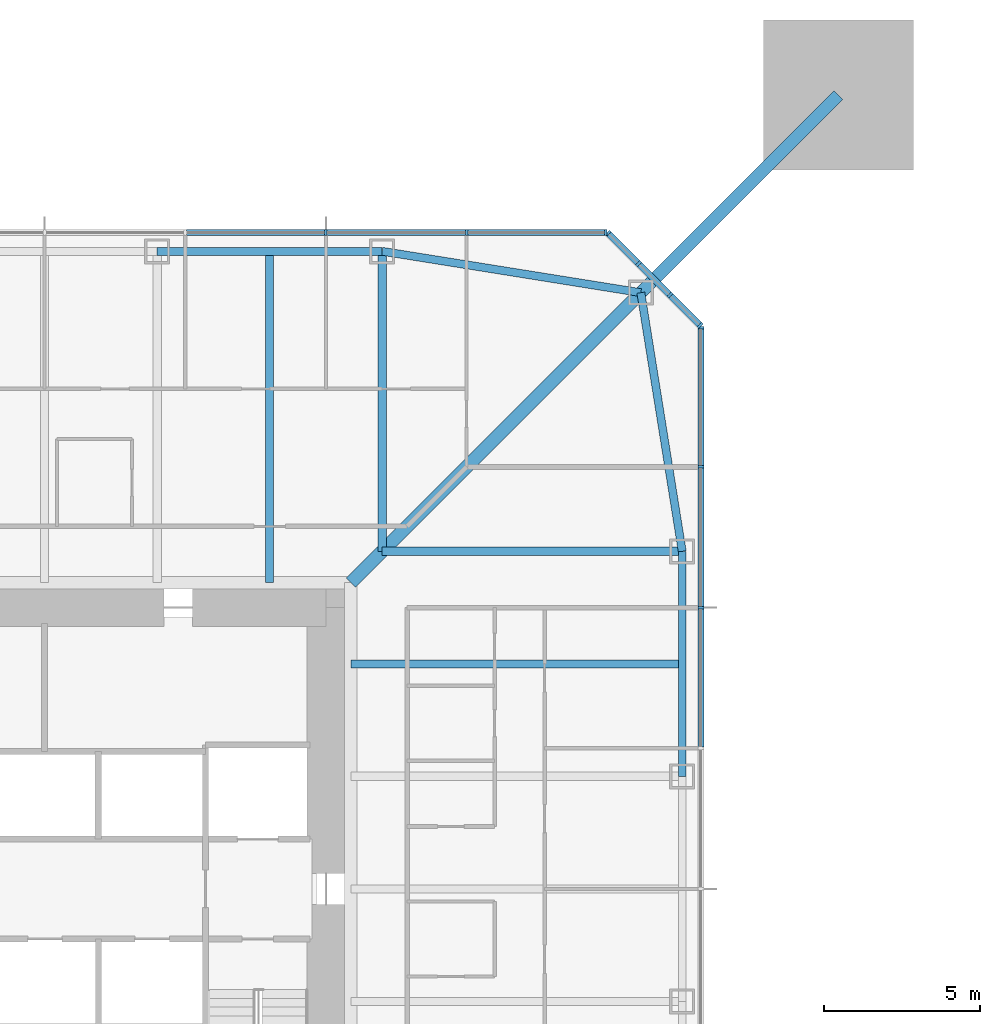
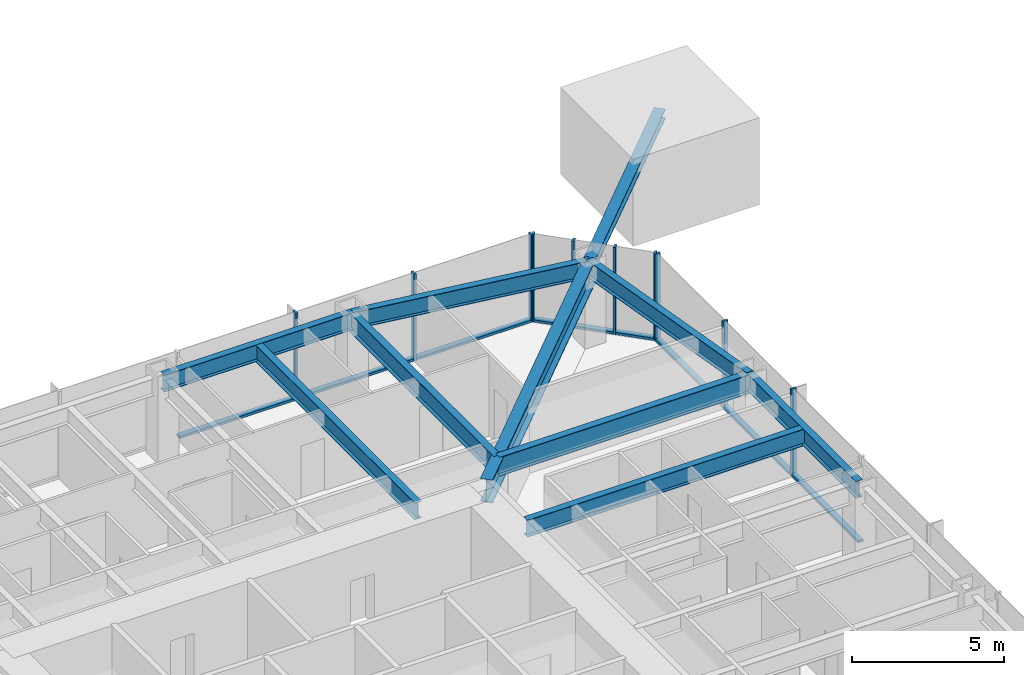
# One storey, part 7 of 25: 20 members, 9 beams, 3 elements without a shape of their own.
"""IFC4 building model written with IfcOpenShell, lengths in metres."""

import ifcopenshell
import ifcopenshell.guid

model = None  # the IFC model being written
_history = None  # IfcOwnerHistory: only IFC2X3 demands one
_inside = {}  # id of a spatial element -> (the spatial element, [elements in it])
_under = {}  # id of a project, library or spatial element -> (it, [spatial elements below it])
_declared = {}  # id of a project -> (the project, [libraries it declares])
_typed = {}  # id of a type object -> (the type object, [elements of that type])
_made_of = {}  # id of a material, layer set ... -> (it, [elements and type objects made of it])


def new_model(schema):
    """Start an empty IFC model of exactly this schema.

    Asked for "IFC4X3", IfcOpenShell would pick the latest addendum, in which some entities
    have other attributes; the version numbers below select the first issue.
    IFC2X3 requires an IfcOwnerHistory on every rooted entity: one is made here for all.
    """
    global model, _history
    if schema == "IFC4X3":
        model = ifcopenshell.file(schema_version=(4, 3, 0, 0))
    else:
        model = ifcopenshell.file(schema=schema)
    _inside.clear()
    _under.clear()
    _declared.clear()
    _typed.clear()
    _made_of.clear()
    _history = None
    if model.schema == "IFC2X3":
        org = make("IfcOrganization", Name="unknown")
        user = make(
            "IfcPersonAndOrganization",
            ThePerson=make("IfcPerson", FamilyName="unknown"),
            TheOrganization=org,
        )
        app = make(
            "IfcApplication",
            ApplicationDeveloper=org,
            Version="unknown",
            ApplicationFullName="unknown",
            ApplicationIdentifier="unknown",
        )
        _history = make(
            "IfcOwnerHistory",
            OwningUser=user,
            OwningApplication=app,
            ChangeAction="ADDED",
            CreationDate=0,
        )
    return model


def make(cls, **values):
    """One entity of the class cls with the attributes given. An attribute that is None is left unset."""
    return model.create_entity(
        cls, **{name: value for name, value in values.items() if value is not None}
    )


def rooted(cls, **values):
    """An entity with a GlobalId (a new one), such as an element, a storey or a relation."""
    return make(cls, GlobalId=ifcopenshell.guid.new(), OwnerHistory=_history, **values)


def si_unit(unit_type, name, prefix=None):
    """IfcSIUnit, for example si_unit("LENGTHUNIT", "METRE", prefix="MILLI")."""
    return make("IfcSIUnit", UnitType=unit_type, Prefix=prefix, Name=name)


def assignment(units):
    """IfcUnitAssignment: the units of a project."""
    return None if units is None else make("IfcUnitAssignment", Units=units)


def point(xyz):
    """IfcCartesianPoint."""
    return None if xyz is None else make("IfcCartesianPoint", Coordinates=xyz)


def direction(xyz):
    """IfcDirection."""
    return None if xyz is None else make("IfcDirection", DirectionRatios=xyz)


def frame(location, z_axis=None, x_axis=None):
    """IfcAxis2Placement3D, a coordinate frame: its origin and axes. An axis left out is left unset."""
    return make(
        "IfcAxis2Placement3D",
        Location=point(location),
        Axis=direction(z_axis),
        RefDirection=direction(x_axis),
    )


def frame_2d(location, x_axis=None):
    """IfcAxis2Placement2D, a coordinate frame in the plane: its origin and x axis."""
    return make(
        "IfcAxis2Placement2D", Location=point(location), RefDirection=direction(x_axis)
    )


def origin():
    """The frame at (0, 0, 0) with its axes left unset."""
    return frame((0.0, 0.0, 0.0))


def origin_2d():
    """The frame at (0, 0) in the plane with its x axis left unset."""
    return frame_2d((0.0, 0.0))


def place(relative_to, where):
    """IfcLocalPlacement: puts the frame where relative to a parent placement (None: the world)."""
    return make(
        "IfcLocalPlacement", PlacementRelTo=relative_to, RelativePlacement=where
    )


def context(
    kind, dimensions, precision=None, world=None, true_north=None, identifier=None
):
    """IfcGeometricRepresentationContext, for example the 3D "Model" context."""
    return make(
        "IfcGeometricRepresentationContext",
        ContextIdentifier=identifier,
        ContextType=kind,
        CoordinateSpaceDimension=dimensions,
        Precision=precision,
        WorldCoordinateSystem=world,
        TrueNorth=true_north,
    )


def subcontext(parent, identifier, kind, view, scale=None):
    """IfcGeometricRepresentationSubContext, for example "Body" below "Model"."""
    return make(
        "IfcGeometricRepresentationSubContext",
        ContextIdentifier=identifier,
        ContextType=kind,
        ParentContext=parent,
        TargetScale=scale,
        TargetView=view,
    )


def project(units=None, contexts=None):
    """IfcProject with its units and contexts."""
    return rooted(
        "IfcProject",
        Name="project",
        RepresentationContexts=contexts,
        UnitsInContext=assignment(units),
    )


def spatial(cls, under=None, at=None, **own):
    """A site, building, storey or space (cls), placed at a placement, below another one or the project."""
    s = rooted(cls, ObjectPlacement=at, **own)
    if under is not None:
        _under.setdefault(under.id(), (under, []))[1].append(s)
    return s


def profile(cls, at=None, kind="AREA", **sizes):
    """A parametric profile (cls). Its sizes go by their IFC names, for example OverallWidth=200.0."""
    return make(cls, ProfileType=kind, Position=at, **sizes)


def rectangle(**sizes):
    """IfcRectangleProfileDef."""
    return profile("IfcRectangleProfileDef", **sizes)


def i_section(**sizes):
    """IfcIShapeProfileDef."""
    return profile("IfcIShapeProfileDef", **sizes)


def extrude(swept, where, along, depth):
    """IfcExtrudedAreaSolid: the profile swept, set in the frame where, extruded along a direction by depth."""
    return make(
        "IfcExtrudedAreaSolid",
        SweptArea=swept,
        Position=where,
        ExtrudedDirection=direction(along),
        Depth=depth,
    )


def shape(context_of_items, identifier, shape_type, items):
    """IfcShapeRepresentation: the items that make up one representation, for example the "Body"."""
    return make(
        "IfcShapeRepresentation",
        ContextOfItems=context_of_items,
        RepresentationIdentifier=identifier,
        RepresentationType=shape_type,
        Items=items,
    )


def material(Name=None, Category=None):
    """IfcMaterial."""
    return make("IfcMaterial", Name=Name, Category=Category)


def material_profile(
    of_material, cross_section, Name=None, Category=None, Priority=None
):
    """IfcMaterialProfile: a cross section and its material."""
    return make(
        "IfcMaterialProfile",
        Name=Name,
        Material=of_material,
        Profile=cross_section,
        Priority=Priority,
        Category=Category,
    )


def profile_set(profiles, Name=None, composite=None):
    """IfcMaterialProfileSet."""
    return make(
        "IfcMaterialProfileSet",
        Name=Name,
        MaterialProfiles=profiles,
        CompositeProfile=composite,
    )


def made_of(thing, what):
    """Note that an element or type object is made of a material, layer set ...; save() writes the relation."""
    if what is not None:
        _made_of.setdefault(what.id(), (what, []))[1].append(thing)
    return thing


def type_object(cls, material=None, **own):
    """A type object (cls), such as IfcWallType, which elements share."""
    return made_of(rooted(cls, **own), material)


def element(
    cls,
    number,
    at=None,
    inside=None,
    cuts=None,
    type_object=None,
    material=None,
    context=None,
    identifier="Body",
    shape_type=None,
    held_by="IfcProductDefinitionShape",
    body=None,
    shapes=None,
    **own,
):
    """One element of the class cls, such as IfcWall. Its Tag is "e" and its number.

    at: its placement. inside: the storey or other place that contains it. cuts: it is an
    opening in that element (IfcRelVoidsElement). A single representation is given by context,
    identifier, shape_type and body (its items); several are given by shapes. held_by: the class
    of the entity that holds the representations. save() writes the other relations.
    """
    e = rooted(cls, Tag="e%d" % number, ObjectPlacement=at, **own)
    if body is not None:
        shapes = [shape(context, identifier, shape_type, body)]
    if shapes is not None:
        e.Representation = make(held_by, Representations=shapes)
    if inside is not None:
        _inside.setdefault(inside.id(), (inside, []))[1].append(e)
    if cuts is not None:
        rooted(
            "IfcRelVoidsElement", RelatingBuildingElement=cuts, RelatedOpeningElement=e
        )
    if type_object is not None:
        _typed.setdefault(type_object.id(), (type_object, []))[1].append(e)
    return made_of(e, material)


def aggregate(whole, parts):
    """IfcRelAggregates: a whole, such as a stair, and the parts it consists of."""
    return rooted("IfcRelAggregates", RelatingObject=whole, RelatedObjects=parts)


def save(model, path):
    """Write the relations noted so far, then the file.

    IfcRelAggregates (storeys below a building ...), IfcRelContainedInSpatialStructure (elements
    in a storey), IfcRelDefinesByType, IfcRelAssociatesMaterial and IfcRelDeclares: one each for
    every whole, place, type object, material and project.
    """
    for whole, parts in _under.values():
        aggregate(whole, parts)
    for where, things in _inside.values():
        rooted(
            "IfcRelContainedInSpatialStructure",
            RelatedElements=things,
            RelatingStructure=where,
        )
    for kind, things in _typed.values():
        rooted("IfcRelDefinesByType", RelatedObjects=things, RelatingType=kind)
    for what, things in _made_of.values():
        rooted("IfcRelAssociatesMaterial", RelatedObjects=things, RelatingMaterial=what)
    for by, libraries in _declared.values():
        rooted("IfcRelDeclares", RelatingContext=by, RelatedDefinitions=libraries)
    model.write(path)


model = new_model("IFC4")

# Units and contexts
model_context = context("Model", 3, precision=1e-05, world=origin(), true_north=direction((0.0, 1.0)))
body_context = subcontext(model_context, "Body", "Model", "MODEL_VIEW")
ifc_project = project(units=[si_unit("LENGTHUNIT", "METRE"), si_unit("AREAUNIT", "SQUARE_METRE"), si_unit("VOLUMEUNIT", "CUBIC_METRE"), si_unit("PLANEANGLEUNIT", "RADIAN"), si_unit("MASSUNIT", "GRAM", prefix="KILO")], contexts=[model_context])

# Site, building, storey
site_placement = place(None, origin())
site = spatial("IfcSite", under=ifc_project, at=site_placement, CompositionType="ELEMENT")
building_placement = place(site_placement, origin())
building = spatial("IfcBuilding", under=site, at=building_placement, Name="Iwan Alto Co-Living Towers", CompositionType="ELEMENT")
storey_placement = place(building_placement, frame((0.0, 0.0, 84.0)))
storey = spatial("IfcBuildingStorey", under=building, at=storey_placement, Name="L22", CompositionType="ELEMENT", Elevation=84.0)

# Curtain wall, members
ifc_material_1 = material(Name="Bronze aluminium unitised frame", Category="aluminium")
curtain_wall_type_1 = type_object("IfcCurtainWallType", Name="CURTAIN WALL CW-A", PredefinedType="NOTDEFINED", material=ifc_material_1)
curtain_wall_1_placement = place(storey_placement, origin())
curtain_wall_1 = element("IfcCurtainWall", 1, at=curtain_wall_1_placement, inside=storey, type_object=curtain_wall_type_1, Name="T1 curtain wall E L22", PredefinedType="NOTDEFINED")
ifc_material_2 = material(Name="Aluminium 6063-T6 bronze anodised", Category="aluminium")
ifc_material_profile_1 = material_profile(ifc_material_2, rectangle(XDim=0.199951171875, YDim=0.080078125, at=origin_2d()), Name="AL 80X200")
ifc_profile_set_1 = profile_set([ifc_material_profile_1], Name="Aluminium 6063-T6 bronze anodised")
member_type_1 = type_object("IfcMemberType", Name="CW-A MULLION 80X200", PredefinedType="MULLION", material=ifc_profile_set_1)
member_1_placement = place(storey_placement, frame((21.0, 9.0, 0.0), z_axis=(0.0, 0.0, 1.0), x_axis=(-1.0, 0.0, 0.0)))
member_1 = element("IfcMember", 2, at=member_1_placement, type_object=member_type_1, Name="CW-A mullion 7", PredefinedType="MULLION", context=body_context, shape_type="SweptSolid", body=[
    extrude(rectangle(XDim=0.199951171875, YDim=0.080078125, at=origin_2d()), origin(), (0.0, 0.0, 1.0), 3.5),
])
member_2_placement = place(storey_placement, frame((21.0, 13.5, 0.0), z_axis=(0.0, 0.0, 1.0), x_axis=(-1.0, 0.0, 0.0)))
member_2 = element("IfcMember", 3, at=member_2_placement, type_object=member_type_1, Name="CW-A mullion 8", PredefinedType="MULLION", context=body_context, shape_type="SweptSolid", body=[
    extrude(rectangle(XDim=0.199951171875, YDim=0.080078125, at=origin_2d()), origin(), (0.0, 0.0, 1.0), 3.5),
])
member_3_placement = place(storey_placement, frame((21.0, 17.9599609375, 0.0), z_axis=(0.0, 0.0, 1.0), x_axis=(-1.0, 0.0, 0.0)))
member_3 = element("IfcMember", 4, at=member_3_placement, type_object=member_type_1, Name="CW-A mullion 9", PredefinedType="MULLION", context=body_context, shape_type="SweptSolid", body=[
    extrude(rectangle(XDim=0.199951171875, YDim=0.080078125, at=origin_2d()), origin(), (0.0, 0.0, 1.0), 3.5),
])

curtain_wall_2_placement = place(storey_placement, origin())
curtain_wall_2 = element("IfcCurtainWall", 5, at=curtain_wall_2_placement, inside=storey, type_object=curtain_wall_type_1, Name="T1 curtain wall N L22", PredefinedType="NOTDEFINED")
member_4_placement = place(storey_placement, frame((17.9599609375, 21.0, 0.0), z_axis=(0.0, 0.0, 1.0), x_axis=(0.0, -1.0, 0.0)))
member_4 = element("IfcMember", 6, at=member_4_placement, type_object=member_type_1, Name="CW-A mullion 1", PredefinedType="MULLION", context=body_context, shape_type="SweptSolid", body=[
    extrude(rectangle(XDim=0.199951171875, YDim=0.080078125, at=origin_2d()), origin(), (0.0, 0.0, 1.0), 3.5),
])
member_5_placement = place(storey_placement, frame((13.5, 21.0, 0.0), z_axis=(0.0, 0.0, 1.0), x_axis=(0.0, -1.0, 0.0)))
member_5 = element("IfcMember", 7, at=member_5_placement, type_object=member_type_1, Name="CW-A mullion 2", PredefinedType="MULLION", context=body_context, shape_type="SweptSolid", body=[
    extrude(rectangle(XDim=0.199951171875, YDim=0.080078125, at=origin_2d()), origin(), (0.0, 0.0, 1.0), 3.5),
])
member_6_placement = place(storey_placement, frame((9.0, 21.0, 0.0), z_axis=(0.0, 0.0, 1.0), x_axis=(0.0, -1.0, 0.0)))
member_6 = element("IfcMember", 8, at=member_6_placement, type_object=member_type_1, Name="CW-A mullion 3", PredefinedType="MULLION", context=body_context, shape_type="SweptSolid", body=[
    extrude(rectangle(XDim=0.199951171875, YDim=0.080078125, at=origin_2d()), origin(), (0.0, 0.0, 1.0), 3.5),
])

# Member
ifc_material_3 = material(Name="Aluminium 6063-T6 bronze anodised", Category="aluminium")
ifc_material_profile_2 = material_profile(ifc_material_3, rectangle(XDim=0.199951171875, YDim=0.10009765625, at=origin_2d()), Name="AL 200X100")
ifc_profile_set_2 = profile_set([ifc_material_profile_2], Name="Aluminium 6063-T6 bronze anodised")
member_type_2 = type_object("IfcMemberType", Name="CW-A TRANSOM 200X100", PredefinedType="USERDEFINED", material=ifc_profile_set_2)
member_7_placement = place(storey_placement, frame((21.0, 4.5400390625, 0.050048828125), z_axis=(0.0, 1.0, 0.0), x_axis=(-1.0, 0.0, 0.0)))
member_7 = element("IfcMember", 9, at=member_7_placement, type_object=member_type_2, Name="CW-A transom 6.1", ObjectType="TRANSOM", PredefinedType="USERDEFINED", context=body_context, shape_type="SweptSolid", body=[
    extrude(rectangle(XDim=0.199951171875, YDim=0.10009765625, at=origin_2d()), origin(), (0.0, 0.0, 1.0), 4.419921875),
])

member_8_placement = place(storey_placement, frame((21.0, 9.0400390625, 0.050048828125), z_axis=(0.0, 1.0, 0.0), x_axis=(-1.0, 0.0, 0.0)))
member_8 = element("IfcMember", 10, at=member_8_placement, type_object=member_type_2, Name="CW-A transom 7.1", ObjectType="TRANSOM", PredefinedType="USERDEFINED", context=body_context, shape_type="SweptSolid", body=[
    extrude(rectangle(XDim=0.199951171875, YDim=0.10009765625, at=origin_2d()), origin(), (0.0, 0.0, 1.0), 4.419921875),
])

member_9_placement = place(storey_placement, frame((21.0, 13.5400390625, 0.050048828125), z_axis=(0.0, 1.0, 0.0), x_axis=(-1.0, 0.0, 0.0)))
member_9 = element("IfcMember", 11, at=member_9_placement, type_object=member_type_2, Name="CW-A transom 8.1", ObjectType="TRANSOM", PredefinedType="USERDEFINED", context=body_context, shape_type="SweptSolid", body=[
    extrude(rectangle(XDim=0.199951171875, YDim=0.10009765625, at=origin_2d()), origin(), (0.0, 0.0, 1.0), 4.3798828125),
])

aggregate(curtain_wall_1, [member_1, member_2, member_3, member_7, member_8, member_9])

member_10_placement = place(storey_placement, frame((17.919921875, 21.0, 0.050048828125), z_axis=(-1.0, 0.0, 0.0), x_axis=(0.0, -1.0, 0.0)))
member_10 = element("IfcMember", 12, at=member_10_placement, type_object=member_type_2, Name="CW-A transom 1.1", ObjectType="TRANSOM", PredefinedType="USERDEFINED", context=body_context, shape_type="SweptSolid", body=[
    extrude(rectangle(XDim=0.199951171875, YDim=0.10009765625, at=origin_2d()), origin(), (0.0, 0.0, 1.0), 4.3798828125),
])

member_11_placement = place(storey_placement, frame((13.4599609375, 21.0, 0.050048828125), z_axis=(-1.0, 0.0, 0.0), x_axis=(0.0, -1.0, 0.0)))
member_11 = element("IfcMember", 13, at=member_11_placement, type_object=member_type_2, Name="CW-A transom 2.1", ObjectType="TRANSOM", PredefinedType="USERDEFINED", context=body_context, shape_type="SweptSolid", body=[
    extrude(rectangle(XDim=0.199951171875, YDim=0.10009765625, at=origin_2d()), origin(), (0.0, 0.0, 1.0), 4.419921875),
])

member_12_placement = place(storey_placement, frame((8.9599609375, 21.0, 0.050048828125), z_axis=(-1.0, 0.0, 0.0), x_axis=(0.0, -1.0, 0.0)))
member_12 = element("IfcMember", 14, at=member_12_placement, type_object=member_type_2, Name="CW-A transom 3.1", ObjectType="TRANSOM", PredefinedType="USERDEFINED", context=body_context, shape_type="SweptSolid", body=[
    extrude(rectangle(XDim=0.199951171875, YDim=0.10009765625, at=origin_2d()), origin(), (0.0, 0.0, 1.0), 4.419921875),
])

aggregate(curtain_wall_2, [member_4, member_5, member_6, member_10, member_11, member_12])

# Curtain wall, members
ifc_material_4 = material(Name="Bronze aluminium unitised frame", Category="aluminium")
curtain_wall_type_2 = type_object("IfcCurtainWallType", Name="CURTAIN WALL CW-B", PredefinedType="NOTDEFINED", material=ifc_material_4)
curtain_wall_3_placement = place(storey_placement, origin())
curtain_wall_3 = element("IfcCurtainWall", 15, at=curtain_wall_3_placement, inside=storey, type_object=curtain_wall_type_2, Name="T1 chamfer curtain wall NE L22", PredefinedType="NOTDEFINED")
ifc_material_5 = material(Name="Aluminium 6063-T6 bronze anodised", Category="aluminium")
ifc_material_profile_3 = material_profile(ifc_material_5, rectangle(XDim=0.199951171875, YDim=0.080078125, at=origin_2d()), Name="AL 80X200")
ifc_profile_set_3 = profile_set([ifc_material_profile_3], Name="Aluminium 6063-T6 bronze anodised")
member_type_3 = type_object("IfcMemberType", Name="CW-B MULLION 80X200", PredefinedType="MULLION", material=ifc_profile_set_3)
member_13_placement = place(storey_placement, frame((20.9716796875, 18.0283203125, 0.0), z_axis=(0.0, 0.0, 1.0), x_axis=(-0.707106781187, -0.707106781187, 0.0)))
member_13 = element("IfcMember", 16, at=member_13_placement, type_object=member_type_3, Name="CW-B mullion 1", PredefinedType="MULLION", context=body_context, shape_type="SweptSolid", body=[
    extrude(rectangle(XDim=0.199951171875, YDim=0.080078125, at=origin_2d()), origin(), (0.0, 0.0, 1.0), 3.5),
])
member_14_placement = place(storey_placement, frame((20.0, 19.0, 0.0), z_axis=(0.0, 0.0, 1.0), x_axis=(-0.707106781187, -0.707106781187, 0.0)))
member_14 = element("IfcMember", 17, at=member_14_placement, type_object=member_type_3, Name="CW-B mullion 2", PredefinedType="MULLION", context=body_context, shape_type="SweptSolid", body=[
    extrude(rectangle(XDim=0.199951171875, YDim=0.080078125, at=origin_2d()), origin(), (0.0, 0.0, 1.0), 3.5),
])
member_15_placement = place(storey_placement, frame((19.0, 20.0, 0.0), z_axis=(0.0, 0.0, 1.0), x_axis=(-0.707106781187, -0.707106781187, 0.0)))
member_15 = element("IfcMember", 18, at=member_15_placement, type_object=member_type_3, Name="CW-B mullion 3", PredefinedType="MULLION", context=body_context, shape_type="SweptSolid", body=[
    extrude(rectangle(XDim=0.199951171875, YDim=0.080078125, at=origin_2d()), origin(), (0.0, 0.0, 1.0), 3.5),
])
member_16_placement = place(storey_placement, frame((18.0283203125, 20.9716796875, 0.0), z_axis=(0.0, 0.0, 1.0), x_axis=(-0.707106781187, -0.707106781187, 0.0)))
member_16 = element("IfcMember", 19, at=member_16_placement, type_object=member_type_3, Name="CW-B mullion 4", PredefinedType="MULLION", context=body_context, shape_type="SweptSolid", body=[
    extrude(rectangle(XDim=0.199951171875, YDim=0.080078125, at=origin_2d()), origin(), (0.0, 0.0, 1.0), 3.5),
])
ifc_material_6 = material(Name="Aluminium 6063-T6 bronze anodised", Category="aluminium")
ifc_material_profile_4 = material_profile(ifc_material_6, rectangle(XDim=0.199951171875, YDim=0.10009765625, at=origin_2d()), Name="AL 200X100")
ifc_profile_set_4 = profile_set([ifc_material_profile_4], Name="Aluminium 6063-T6 bronze anodised")
member_type_4 = type_object("IfcMemberType", Name="CW-B TRANSOM 200X100", PredefinedType="USERDEFINED", material=ifc_profile_set_4)
member_17_placement = place(storey_placement, frame((20.943359375, 18.056640625, 0.050048828125), z_axis=(-0.707106781187, 0.707106781187, 0.0), x_axis=(-0.707106781187, -0.707106781187, 0.0)))
member_17 = element("IfcMember", 20, at=member_17_placement, type_object=member_type_4, Name="CW-B transom 1.1", ObjectType="TRANSOM", PredefinedType="USERDEFINED", context=body_context, shape_type="SweptSolid", body=[
    extrude(rectangle(XDim=0.199951171875, YDim=0.10009765625, at=origin_2d()), origin(), (0.0, 0.0, 1.0), 1.2939453125),
])
member_18_placement = place(storey_placement, frame((19.9716796875, 19.0283203125, 0.050048828125), z_axis=(-0.707106781187, 0.707106781187, 0.0), x_axis=(-0.707106781187, -0.707106781187, 0.0)))
member_18 = element("IfcMember", 21, at=member_18_placement, type_object=member_type_4, Name="CW-B transom 2.1", ObjectType="TRANSOM", PredefinedType="USERDEFINED", context=body_context, shape_type="SweptSolid", body=[
    extrude(rectangle(XDim=0.199951171875, YDim=0.10009765625, at=origin_2d()), origin(), (0.0, 0.0, 1.0), 1.334228515625),
])
member_19_placement = place(storey_placement, frame((18.9716796875, 20.0283203125, 0.050048828125), z_axis=(-0.707106781187, 0.707106781187, 0.0), x_axis=(-0.707106781187, -0.707106781187, 0.0)))
member_19 = element("IfcMember", 22, at=member_19_placement, type_object=member_type_4, Name="CW-B transom 3.1", ObjectType="TRANSOM", PredefinedType="USERDEFINED", context=body_context, shape_type="SweptSolid", body=[
    extrude(rectangle(XDim=0.199951171875, YDim=0.10009765625, at=origin_2d()), origin(), (0.0, 0.0, 1.0), 1.2939453125),
])
aggregate(curtain_wall_3, [member_13, member_14, member_15, member_16, member_17, member_18, member_19])

# Beams
ifc_material_7 = material(Name="Steel ASTM A992 Gr 50", Category="steel")
ifc_material_profile_5 = material_profile(ifc_material_7, i_section(OverallWidth=0.419189453125, OverallDepth=0.927001953125, WebThickness=0.019287109375, FlangeThickness=0.031982421875, at=origin_2d()), Name="W36X231")
ifc_profile_set_5 = profile_set([ifc_material_profile_5], Name="Steel ASTM A992 Gr 50")
beam_type_1 = type_object("IfcBeamType", Name="T1 CORNER GIRDER W36X231", PredefinedType="BEAM", material=ifc_profile_set_5)
beam_1_placement = place(storey_placement, frame((19.07568359375, 19.07568359375, 2.806396484375), z_axis=(-0.707106781187, -0.707106781187, 0.0), x_axis=(0.707106781187, -0.707106781187, 0.0)))
element("IfcBeam", 23, at=beam_1_placement, inside=storey, type_object=beam_type_1, Name="T1 corner girder CNE L23", PredefinedType="BEAM", context=body_context, shape_type="SweptSolid", body=[
    extrude(i_section(OverallWidth=0.419189453125, OverallDepth=0.927001953125, WebThickness=0.019287109375, FlangeThickness=0.031982421875, at=origin_2d()), origin(), (0.0, 0.0, 1.0), 13.11865234375),
])
ifc_material_8 = material(Name="Steel ASTM A992 Gr 50", Category="steel")
ifc_material_profile_6 = material_profile(ifc_material_8, i_section(OverallWidth=0.25390625, OverallDepth=0.683349609375, WebThickness=0.012451171875, FlangeThickness=0.018798828125, at=origin_2d()), Name="W27X94")
ifc_profile_set_6 = profile_set([ifc_material_profile_6], Name="Steel ASTM A992 Gr 50")
beam_type_2 = type_object("IfcBeamType", Name="T1 EDGE BEAM W27X94", PredefinedType="BEAM", material=ifc_profile_set_6)
beam_2_placement = place(storey_placement, frame((20.39990234375, 3.60009765625, 2.928466796875), z_axis=(0.0, 1.0, 0.0), x_axis=(-1.0, 0.0, 0.0)))
element("IfcBeam", 24, at=beam_2_placement, inside=storey, type_object=beam_type_2, Name="T1 edge beam E3 L23", PredefinedType="BEAM", context=body_context, shape_type="SweptSolid", body=[
    extrude(i_section(OverallWidth=0.25390625, OverallDepth=0.683349609375, WebThickness=0.012451171875, FlangeThickness=0.018798828125, at=origin_2d()), origin(), (0.0, 0.0, 1.0), 7.199951171875),
])
for number, where, z_axis, x_axis, name in (
    (25, (20.39990234375, 10.800048828125, 2.928466796875), (-0.158004134737, 0.987438450439, 0.0), (-0.987438450439, -0.158004134737, 0.0), "T1 edge beam E4 L23"),
    (26, (19.07568359375, 19.07568359375, 2.928466796875), (-0.987438450439, 0.158004134737, 0.0), (-0.158004134737, -0.987438450439, 0.0), "T1 edge beam CNE L23"),
):
    element("IfcBeam", number, at=place(storey_placement, frame(where, z_axis=z_axis, x_axis=x_axis)), inside=storey, type_object=beam_type_2, Name=name, PredefinedType="BEAM", context=body_context, shape_type="SweptSolid", body=[
        extrude(i_section(OverallWidth=0.25390625, OverallDepth=0.683349609375, WebThickness=0.012451171875, FlangeThickness=0.018798828125, at=origin_2d()), origin(), (0.0, 0.0, 1.0), 8.380859375),
    ])
beam_3_placement = place(storey_placement, frame((10.800048828125, 20.39990234375, 2.928466796875), z_axis=(-1.0, 0.0, 0.0), x_axis=(0.0, -1.0, 0.0)))
element("IfcBeam", 27, at=beam_3_placement, inside=storey, type_object=beam_type_2, Name="T1 edge beam N1 L23", PredefinedType="BEAM", context=body_context, shape_type="SweptSolid", body=[
    extrude(i_section(OverallWidth=0.25390625, OverallDepth=0.683349609375, WebThickness=0.012451171875, FlangeThickness=0.018798828125, at=origin_2d()), origin(), (0.0, 0.0, 1.0), 7.199951171875),
])

# Member
ifc_material_9 = material(Name="Steel ASTM A992 Gr 50", Category="steel")
ifc_material_profile_7 = material_profile(ifc_material_9, i_section(OverallWidth=0.393798828125, OverallDepth=0.3759765625, WebThickness=0.017333984375, FlangeThickness=0.027587890625, at=origin_2d()), Name="W14X145")
ifc_profile_set_7 = profile_set([ifc_material_profile_7], Name="Steel ASTM A992 Gr 50")
member_type_5 = type_object("IfcMemberType", Name="T1 MEGA COLUMN FLOOR TIE W14X145", PredefinedType="STRUT", material=ifc_profile_set_7)
member_20_placement = place(storey_placement, frame((25.39990234375, 25.39990234375, 3.08203125), z_axis=(-0.707106781187, -0.707106781187, 0.0), x_axis=(0.707106781187, -0.707106781187, 0.0)))
element("IfcMember", 28, at=member_20_placement, inside=storey, type_object=member_type_5, Name="T1 mega column floor tie NE L23", PredefinedType="STRUT", context=body_context, shape_type="SweptSolid", body=[
    extrude(i_section(OverallWidth=0.393798828125, OverallDepth=0.3759765625, WebThickness=0.017333984375, FlangeThickness=0.027587890625, at=origin_2d()), origin(), (0.0, 0.0, 1.0), 8.94384765625),
])

# Beams
ifc_material_10 = material(Name="Steel ASTM A992 Gr 50", Category="steel")
ifc_material_profile_8 = material_profile(ifc_material_10, i_section(OverallWidth=0.2666015625, OverallDepth=0.761962890625, WebThickness=0.014404296875, FlangeThickness=0.021484375, at=origin_2d()), Name="W30X116")
ifc_profile_set_8 = profile_set([ifc_material_profile_8], Name="Steel ASTM A992 Gr 50")
beam_type_3 = type_object("IfcBeamType", Name="T1 RADIAL BEAM W30X116", PredefinedType="BEAM", material=ifc_profile_set_8)
for number, where, z_axis, x_axis, name in (
    (29, (20.39990234375, 10.800048828125, 2.888916015625), (-1.0, 0.0, 0.0), (0.0, -1.0, 0.0), "T1 radial beam E4 L23"),
    (30, (10.800048828125, 20.39990234375, 2.888916015625), (0.0, -1.0, 0.0), (1.0, 0.0, 0.0), "T1 radial beam N1 L23"),
):
    element("IfcBeam", number, at=place(storey_placement, frame(where, z_axis=z_axis, x_axis=x_axis)), inside=storey, type_object=beam_type_3, Name=name, PredefinedType="BEAM", context=body_context, shape_type="SweptSolid", body=[
        extrude(i_section(OverallWidth=0.2666015625, OverallDepth=0.761962890625, WebThickness=0.014404296875, FlangeThickness=0.021484375, at=origin_2d()), origin(), (0.0, 0.0, 1.0), 9.599853515625),
    ])
ifc_material_11 = material(Name="Steel ASTM A992 Gr 50", Category="steel")
ifc_material_profile_9 = material_profile(ifc_material_11, i_section(OverallWidth=0.25390625, OverallDepth=0.683349609375, WebThickness=0.012451171875, FlangeThickness=0.018798828125, at=origin_2d()), Name="W27X94")
ifc_profile_set_9 = profile_set([ifc_material_profile_9], Name="Steel ASTM A992 Gr 50")
beam_type_4 = type_object("IfcBeamType", Name="T1 SECONDARY BEAM W27X94", PredefinedType="JOIST", material=ifc_profile_set_9)
for number, where, z_axis, x_axis, name in (
    (31, (20.39990234375, 7.199951171875, 2.928466796875), (-1.0, 0.0, 0.0), (0.0, -1.0, 0.0), "T1 secondary beam E3 L23"),
    (32, (7.199951171875, 20.39990234375, 2.928466796875), (0.0, -1.0, 0.0), (1.0, 0.0, 0.0), "T1 secondary beam N1 L23"),
):
    element("IfcBeam", number, at=place(storey_placement, frame(where, z_axis=z_axis, x_axis=x_axis)), inside=storey, type_object=beam_type_4, Name=name, PredefinedType="JOIST", context=body_context, shape_type="SweptSolid", body=[
        extrude(i_section(OverallWidth=0.25390625, OverallDepth=0.683349609375, WebThickness=0.012451171875, FlangeThickness=0.018798828125, at=origin_2d()), origin(), (0.0, 0.0, 1.0), 10.6005859375),
    ])

save(model, "model.ifc")
